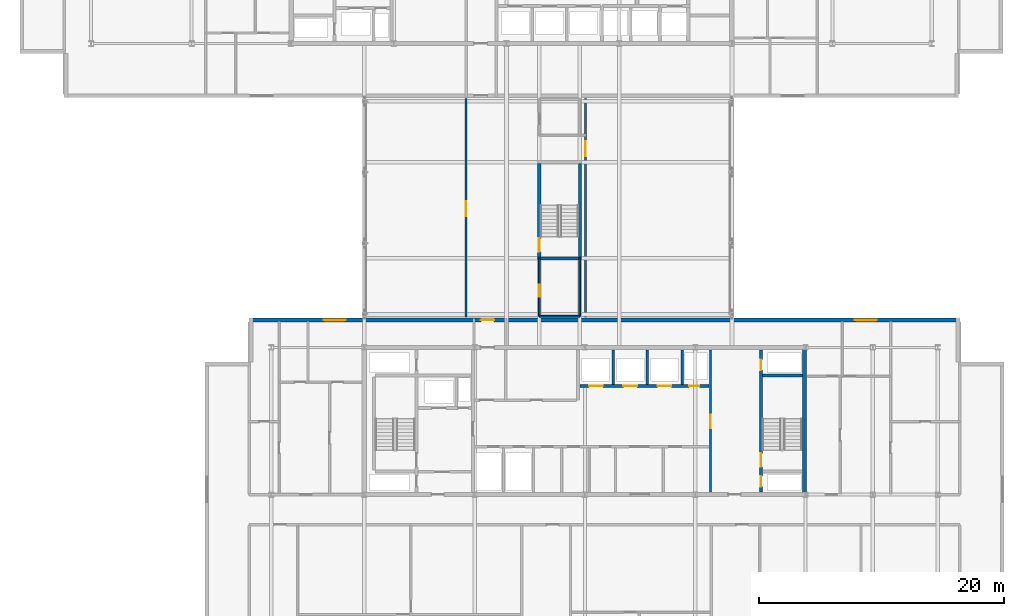
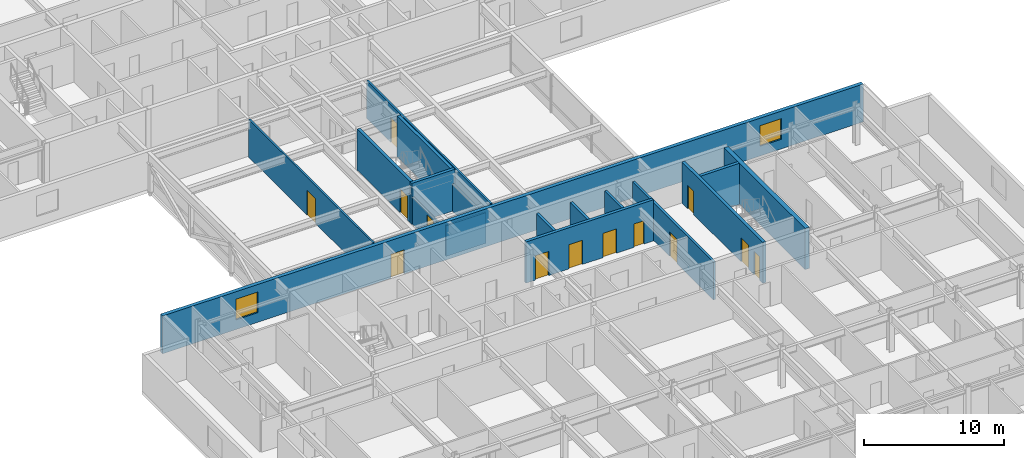
# One storey, part 21 of 36: 17 walls, 13 doors, 2 windows, 15 openings.
"""IFC4 building model written with IfcOpenShell, lengths in metres."""

from ifc_helpers import new_model, si_unit, direction, frame, frame_2d, origin, place, context, subcontext, project, spatial, rectangle, extrude, material, layer, layer_set, type_object, element, fill, save


model = new_model("IFC4")

# Units and contexts
model_context = context("Model", 3, precision=1e-05, world=origin(), true_north=direction((0.0, 1.0)))
body_context = subcontext(model_context, "Body", "Model", "MODEL_VIEW")
ifc_project = project(units=[si_unit("LENGTHUNIT", "METRE"), si_unit("AREAUNIT", "SQUARE_METRE"), si_unit("VOLUMEUNIT", "CUBIC_METRE"), si_unit("PLANEANGLEUNIT", "RADIAN"), si_unit("MASSUNIT", "GRAM", prefix="KILO")], contexts=[model_context])

# Site, building, storey
site_placement = place(None, origin())
site = spatial("IfcSite", under=ifc_project, at=site_placement, CompositionType="ELEMENT")
building_placement = place(site_placement, origin())
building = spatial("IfcBuilding", under=site, at=building_placement, Name="Korimba Cascade Residences", CompositionType="ELEMENT")
storey_placement = place(building_placement, frame((0.0, 0.0, 146.5)))
storey = spatial("IfcBuildingStorey", under=building, at=storey_placement, Name="L42", CompositionType="ELEMENT", Elevation=146.5)

# Wall, openings, door, windows
ifc_material_1 = material(Name="Precast concrete C40/50", Category="concrete")
ifc_layer_1 = layer(ifc_material_1, 0.300048828125)
ifc_layer_set_1 = layer_set([ifc_layer_1], Name="Precast concrete C40/50")
wall_type_1 = type_object("IfcWallType", Name="EW-STONE-300", PredefinedType="STANDARD", material=ifc_layer_set_1)
wall_1_placement = place(storey_placement, frame((130.699951171875, 32.64990234375, 0.0), z_axis=(0.0, 0.0, 1.0), x_axis=(-1.0, 0.0, 0.0)))
wall_1 = element("IfcWall", 1, at=wall_1_placement, inside=storey, type_object=wall_type_1, Name="L42 T2 Perimeter Stone Wall E06", PredefinedType="STANDARD", context=body_context, shape_type="SweptSolid", body=[
    extrude(rectangle(XDim=58.0, YDim=0.300048828125, at=frame_2d((29.0, 0.0))), origin(), (0.0, 0.0, 1.0), 3.31005859375),
])
opening_1_placement = place(wall_1_placement, frame((50.125, 0.0, 0.85009765625)))
opening_1 = element("IfcOpeningElement", 2, at=opening_1_placement, cuts=wall_1, Name="Opening W-02", PredefinedType="OPENING", context=body_context, shape_type="SweptSolid", body=[
    extrude(rectangle(XDim=1.800048828125, YDim=1.800048828125, at=frame_2d((0.89990234375, 0.89990234375))), frame((0.0, 0.16015625, 0.0), z_axis=(0.0, -1.0, 0.0), x_axis=(1.0, 0.0, 0.0)), (0.0, 0.0, 1.0), 0.320068359375),
])
opening_2_placement = place(wall_1_placement, frame((6.77490234375, 0.0, 0.85009765625)))
opening_2 = element("IfcOpeningElement", 3, at=opening_2_placement, cuts=wall_1, Name="Opening W-02", PredefinedType="OPENING", context=body_context, shape_type="SweptSolid", body=[
    extrude(rectangle(XDim=1.800048828125, YDim=1.800048828125, at=frame_2d((0.89990234375, 0.89990234375))), frame((0.0, 0.16015625, 0.0), z_axis=(0.0, -1.0, 0.0), x_axis=(1.0, 0.0, 0.0)), (0.0, 0.0, 1.0), 0.320068359375),
])
opening_3_placement = place(wall_1_placement, frame((38.0, 0.0, 0.0)))
opening_3 = element("IfcOpeningElement", 4, at=opening_3_placement, cuts=wall_1, Name="Opening D-BF1", PredefinedType="OPENING", context=body_context, shape_type="SweptSolid", body=[
    extrude(rectangle(XDim=1.10009765625, YDim=2.10009765625, at=frame_2d((0.550048828125, 1.050048828125))), frame((0.0, 0.16015625, 0.0), z_axis=(0.0, -1.0, 0.0), x_axis=(1.0, 0.0, 0.0)), (0.0, 0.0, 1.0), 0.320068359375),
])
ifc_material_2 = material(Name="Fire-Rated Steel Skybridge Link Door", Category="steel")
door_type_1 = type_object("IfcDoorType", Name="DR-BRG-FD120", OperationType="NOTDEFINED", PredefinedType="DOOR", material=ifc_material_2)
door_1_placement = place(opening_3_placement, origin())
door_1 = element("IfcDoor", 5, at=door_1_placement, inside=storey, type_object=door_type_1, Name="L42 Skybridge to Tower 2 Fire Door", OperationType="SINGLE_SWING_RIGHT", OverallHeight=2.10009765625, OverallWidth=1.10009765625, PredefinedType="DOOR", context=body_context, shape_type="SweptSolid", body=[
    extrude(rectangle(XDim=1.10009765625, YDim=2.10009765625, at=frame_2d((0.550048828125, 1.050048828125))), frame((0.0, 0.02490234375, 0.0), z_axis=(0.0, -1.0, 0.0), x_axis=(1.0, 0.0, 0.0)), (0.0, 0.0, 1.0), 0.050048828125),
])
fill(opening_3, door_1)
ifc_material_3 = material(Name="Double-Glazed Aluminium Window", Category="aluminium")
window_type = type_object("IfcWindowType", Name="WIN-BED-1800", PartitioningType="SINGLE_PANEL", PredefinedType="WINDOW", material=ifc_material_3)
window_1_placement = place(opening_1_placement, origin())
window_1 = element("IfcWindow", 6, at=window_1_placement, inside=storey, type_object=window_type, Name="L42 T2 North Corner Bedroom Window 1", OverallHeight=1.800048828125, OverallWidth=1.800048828125, PartitioningType="SINGLE_PANEL", PredefinedType="WINDOW", context=body_context, shape_type="SweptSolid", body=[
    extrude(rectangle(XDim=1.800048828125, YDim=1.800048828125, at=frame_2d((0.89990234375, 0.89990234375))), frame((0.0, 0.030029296875, 0.0), z_axis=(0.0, -1.0, 0.0), x_axis=(1.0, 0.0, 0.0)), (0.0, 0.0, 1.0), 0.06005859375),
])
fill(opening_1, window_1)
window_2_placement = place(opening_2_placement, origin())
window_2 = element("IfcWindow", 7, at=window_2_placement, inside=storey, type_object=window_type, Name="L42 T2 North Corner Bedroom Window 2", OverallHeight=1.800048828125, OverallWidth=1.800048828125, PartitioningType="SINGLE_PANEL", PredefinedType="WINDOW", context=body_context, shape_type="SweptSolid", body=[
    extrude(rectangle(XDim=1.800048828125, YDim=1.800048828125, at=frame_2d((0.89990234375, 0.89990234375))), frame((0.0, 0.030029296875, 0.0), z_axis=(0.0, -1.0, 0.0), x_axis=(1.0, 0.0, 0.0)), (0.0, 0.0, 1.0), 0.06005859375),
])
fill(opening_2, window_2)

# Walls
ifc_material_4 = material(Name="Concrete C65/80", Category="concrete")
ifc_layer_2 = layer(ifc_material_4, 0.35009765625)
ifc_layer_set_2 = layer_set([ifc_layer_2], Name="Concrete C65/80")
wall_type_2 = type_object("IfcWallType", Name="WAL-CORE-350", PredefinedType="SHEAR", material=ifc_layer_set_2)
wall_2_placement = place(storey_placement, frame((118.014892578125, 18.574951171875, 0.0), z_axis=(0.0, 0.0, 1.0), x_axis=(0.0, 1.0, 0.0)))
element("IfcWall", 8, at=wall_2_placement, inside=storey, type_object=wall_type_2, Name="L42 Core Shear Wall CW-L42-T2-E", PredefinedType="SHEAR", context=body_context, shape_type="SweptSolid", body=[
    extrude(rectangle(XDim=11.650146484375, YDim=0.35009765625, at=frame_2d((5.8251953125, 0.0))), origin(), (0.0, 0.0, 1.0), 3.60009765625),
])
ifc_material_5 = material(Name="Insulated Acoustic Stud Partition", Category="gypsum")
ifc_layer_3 = layer(ifc_material_5, 0.14990234375)
ifc_layer_set_3 = layer_set([ifc_layer_3], Name="Insulated Acoustic Stud Partition")
wall_type_3 = type_object("IfcWallType", Name="WAL-PART-150", PredefinedType="PARTITIONING", material=ifc_layer_set_3)
wall_3_placement = place(storey_placement, frame((96.375, 32.949951171875, 0.0), z_axis=(0.0, 0.0, 1.0), x_axis=(1.0, 0.0, 0.0)))
element("IfcWall", 9, at=wall_3_placement, inside=storey, type_object=wall_type_3, Name="L42 Partition Wall WAL-L42-BRG-WCS1", PredefinedType="PARTITIONING", context=body_context, shape_type="SweptSolid", body=[
    extrude(rectangle(XDim=3.31005859375, YDim=0.14990234375, at=frame_2d((1.655029296875, 0.0))), origin(), (0.0, 0.0, 1.0), 2.689697265625),
])

# Wall, opening, door
wall_4_placement = place(storey_placement, frame((96.375, 32.949951171875, 0.0), z_axis=(0.0, 0.0, 1.0), x_axis=(0.0, 1.0, 0.0)))
wall_4 = element("IfcWall", 10, at=wall_4_placement, inside=storey, type_object=wall_type_3, Name="L42 Partition Wall WAL-L42-BRG-WCW1", PredefinedType="PARTITIONING", context=body_context, shape_type="SweptSolid", body=[
    extrude(rectangle(XDim=4.72509765625, YDim=0.14990234375, at=frame_2d((2.362548828125, 0.0))), origin(), (0.0, 0.0, 1.0), 2.38330078125),
])
opening_4_placement = place(wall_4_placement, frame((1.60009765625, 0.0, 0.0)))
opening_4 = element("IfcOpeningElement", 11, at=opening_4_placement, cuts=wall_4, Name="Opening D-AC1", PredefinedType="OPENING", context=body_context, shape_type="SweptSolid", body=[
    extrude(rectangle(XDim=0.9599609375, YDim=2.10009765625, at=frame_2d((0.47998046875, 1.050048828125))), frame((0.0, 0.0849609375, 0.0), z_axis=(0.0, -1.0, 0.0), x_axis=(1.0, 0.0, 0.0)), (0.0, 0.0, 1.0), 0.169921875),
])
ifc_material_6 = material(Name="Accessible Acoustic Timber WC Door", Category="wood")
door_type_2 = type_object("IfcDoorType", Name="DR-ACC-950", OperationType="NOTDEFINED", PredefinedType="DOOR", material=ifc_material_6)
door_2_placement = place(opening_4_placement, origin())
door_2 = element("IfcDoor", 12, at=door_2_placement, inside=storey, type_object=door_type_2, Name="L42 Skybridge Accessible WC Door", OperationType="SINGLE_SWING_RIGHT", OverallHeight=2.10009765625, OverallWidth=0.9599609375, PredefinedType="DOOR", context=body_context, shape_type="SweptSolid", body=[
    extrude(rectangle(XDim=0.9599609375, YDim=2.10009765625, at=frame_2d((0.47998046875, 1.050048828125))), frame((0.0, 0.02490234375, 0.0), z_axis=(0.0, -1.0, 0.0), x_axis=(1.0, 0.0, 0.0)), (0.0, 0.0, 1.0), 0.050048828125),
])
fill(opening_4, door_2)

# Wall
wall_5_placement = place(storey_placement, frame((99.68505859375, 32.949951171875, 0.0), z_axis=(0.0, 0.0, 1.0), x_axis=(0.0, 1.0, 0.0)))
element("IfcWall", 13, at=wall_5_placement, inside=storey, type_object=wall_type_3, Name="L42 Partition Wall WAL-L42-BRG-EE1", PredefinedType="PARTITIONING", context=body_context, shape_type="SweptSolid", body=[
    extrude(rectangle(XDim=4.72509765625, YDim=0.14990234375, at=frame_2d((2.362548828125, 0.0))), origin(), (0.0, 0.0, 1.0), 2.38330078125),
])

# Wall, opening, door
wall_6_placement = place(storey_placement, frame((90.39990234375, 32.89990234375, 0.0), z_axis=(0.0, 0.0, 1.0), x_axis=(0.0, 1.0, 0.0)))
wall_6 = element("IfcWall", 14, at=wall_6_placement, inside=storey, type_object=wall_type_3, Name="L42 Partition Wall WAL-L42-BRG-CORW", PredefinedType="PARTITIONING", context=body_context, shape_type="SweptSolid", body=[
    extrude(rectangle(XDim=17.800048828125, YDim=0.14990234375, at=frame_2d((8.89990234375, 0.0))), origin(), (0.0, 0.0, 1.0), 3.31005859375),
])
opening_5_placement = place(wall_6_placement, frame((8.199951171875, 0.0, 0.0)))
opening_5 = element("IfcOpeningElement", 15, at=opening_5_placement, cuts=wall_6, Name="Opening D-AM1", PredefinedType="OPENING", context=body_context, shape_type="SweptSolid", body=[
    extrude(rectangle(XDim=1.219970703125, YDim=2.179931640625, at=frame_2d((0.60986328125, 1.08984375))), frame((0.0, 0.0849609375, 0.0), z_axis=(0.0, -1.0, 0.0), x_axis=(1.0, 0.0, 0.0)), (0.0, 0.0, 1.0), 0.169921875),
])
ifc_material_7 = material(Name="Fire-Rated Glazed Timber Suite Door", Category="wood")
door_type_3 = type_object("IfcDoorType", Name="DR-FD60-1200", OperationType="NOTDEFINED", PredefinedType="DOOR", material=ifc_material_7)
door_3_placement = place(opening_5_placement, origin())
door_3 = element("IfcDoor", 16, at=door_3_placement, inside=storey, type_object=door_type_3, Name="L42 Skybridge West Wing Door", OperationType="SINGLE_SWING_RIGHT", OverallHeight=2.179931640625, OverallWidth=1.219970703125, PredefinedType="DOOR", context=body_context, shape_type="SweptSolid", body=[
    extrude(rectangle(XDim=1.219970703125, YDim=2.179931640625, at=frame_2d((0.60986328125, 1.08984375))), frame((0.0, 0.02490234375, 0.0), z_axis=(0.0, -1.0, 0.0), x_axis=(1.0, 0.0, 0.0)), (0.0, 0.0, 1.0), 0.050048828125),
])
fill(opening_5, door_3)

wall_7_placement = place(storey_placement, frame((100.14990234375, 32.89990234375, 0.0), z_axis=(0.0, 0.0, 1.0), x_axis=(0.0, 1.0, 0.0)))
wall_7 = element("IfcWall", 17, at=wall_7_placement, inside=storey, type_object=wall_type_3, Name="L42 Partition Wall WAL-L42-BRG-EE2", PredefinedType="PARTITIONING", context=body_context, shape_type="SweptSolid", body=[
    extrude(rectangle(XDim=17.800048828125, YDim=0.14990234375, at=frame_2d((8.89990234375, 0.0))), origin(), (0.0, 0.0, 1.0), 3.31005859375),
])
opening_6_placement = place(wall_7_placement, frame((13.10009765625, 0.0, 0.0)))
opening_6 = element("IfcOpeningElement", 18, at=opening_6_placement, cuts=wall_7, Name="Opening D-AM1", PredefinedType="OPENING", context=body_context, shape_type="SweptSolid", body=[
    extrude(rectangle(XDim=1.219970703125, YDim=2.179931640625, at=frame_2d((0.60986328125, 1.08984375))), frame((0.0, 0.0849609375, 0.0), z_axis=(0.0, -1.0, 0.0), x_axis=(1.0, 0.0, 0.0)), (0.0, 0.0, 1.0), 0.169921875),
])
door_4_placement = place(opening_6_placement, origin())
door_4 = element("IfcDoor", 19, at=door_4_placement, inside=storey, type_object=door_type_3, Name="L42 Skybridge East Club Door", OperationType="SINGLE_SWING_LEFT", OverallHeight=2.179931640625, OverallWidth=1.219970703125, PredefinedType="DOOR", context=body_context, shape_type="SweptSolid", body=[
    extrude(rectangle(XDim=1.219970703125, YDim=2.179931640625, at=frame_2d((0.60986328125, 1.08984375))), frame((0.0, 0.02490234375, 0.0), z_axis=(0.0, -1.0, 0.0), x_axis=(1.0, 0.0, 0.0)), (0.0, 0.0, 1.0), 0.050048828125),
])
fill(opening_6, door_4)

# Walls
ifc_material_8 = material(Name="Concrete C40/50", Category="concrete")
ifc_layer_4 = layer(ifc_material_8, 0.199951171875)
ifc_layer_set_4 = layer_set([ifc_layer_4], Name="Concrete C40/50")
wall_type_4 = type_object("IfcWallType", Name="WAL-PART-200", PredefinedType="PARTITIONING", material=ifc_layer_set_4)
for number, where, z_axis, x_axis, name in (
    (20, (102.39990234375, 27.3798828125, 0.0), (0.0, 0.0, 1.0), (0.0, 1.0, 0.0), "L42 Partition Wall CW-L42-T2-B2D1"),
    (21, (105.199951171875, 27.3798828125, 0.0), (0.0, 0.0, 1.0), (0.0, 1.0, 0.0), "L42 Partition Wall CW-L42-T2-B2D2"),
    (22, (108.050048828125, 27.3798828125, 0.0), (0.0, 0.0, 1.0), (0.0, 1.0, 0.0), "L42 Partition Wall CW-L42-T2-B2D3"),
):
    element("IfcWall", number, at=place(storey_placement, frame(where, z_axis=z_axis, x_axis=x_axis)), inside=storey, type_object=wall_type_4, Name=name, PredefinedType="PARTITIONING", context=body_context, shape_type="SweptSolid", body=[
        extrude(rectangle(XDim=2.820068359375, YDim=0.199951171875, at=frame_2d((1.41015625, 0.0))), origin(), (0.0, 0.0, 1.0), 3.31005859375),
    ])

# Wall, opening, door
wall_8_placement = place(storey_placement, frame((110.35009765625, 18.60009765625, 0.0), z_axis=(0.0, 0.0, 1.0), x_axis=(0.0, 1.0, 0.0)))
wall_8 = element("IfcWall", 23, at=wall_8_placement, inside=storey, type_object=wall_type_4, Name="L42 Partition Wall CW-L42-T2-LLEV", PredefinedType="PARTITIONING", context=body_context, shape_type="SweptSolid", body=[
    extrude(rectangle(XDim=11.599853515625, YDim=0.199951171875, at=frame_2d((5.7998046875, 0.0))), origin(), (0.0, 0.0, 1.0), 3.31005859375),
])
opening_7_placement = place(wall_8_placement, frame((5.199951171875, 0.0, 0.0)))
opening_7 = element("IfcOpeningElement", 24, at=opening_7_placement, cuts=wall_8, Name="Opening D-FD6", PredefinedType="OPENING", context=body_context, shape_type="SweptSolid", body=[
    extrude(rectangle(XDim=1.10009765625, YDim=2.14990234375, at=frame_2d((0.550048828125, 1.074951171875))), frame((0.0, 0.10986328125, 0.0), z_axis=(0.0, -1.0, 0.0), x_axis=(1.0, 0.0, 0.0)), (0.0, 0.0, 1.0), 0.219970703125),
])
ifc_material_9 = material(Name="Fire-Rated Timber Stair Lobby Door", Category="wood")
door_type_4 = type_object("IfcDoorType", Name="DR-FD90-1100", OperationType="NOTDEFINED", PredefinedType="DOOR", material=ifc_material_9)
door_5_placement = place(opening_7_placement, origin())
door_5 = element("IfcDoor", 25, at=door_5_placement, inside=storey, type_object=door_type_4, Name="L42 T2 Lift Lobby to East Stair Lobby Door", OperationType="SINGLE_SWING_LEFT", OverallHeight=2.14990234375, OverallWidth=1.10009765625, PredefinedType="DOOR", context=body_context, shape_type="SweptSolid", body=[
    extrude(rectangle(XDim=1.10009765625, YDim=2.14990234375, at=frame_2d((0.550048828125, 1.074951171875))), frame((0.0, 0.02490234375, 0.0), z_axis=(0.0, -1.0, 0.0), x_axis=(1.0, 0.0, 0.0)), (0.0, 0.0, 1.0), 0.050048828125),
])
fill(opening_7, door_5)

# Wall, openings, doors
ifc_material_10 = material(Name="Concrete C50/60", Category="concrete")
ifc_layer_5 = layer(ifc_material_10, 0.25)
ifc_layer_set_5 = layer_set([ifc_layer_5], Name="Concrete C50/60")
wall_type_5 = type_object("IfcWallType", Name="WAL-SHAFT-250", PredefinedType="SHEAR", material=ifc_layer_set_5)
wall_9_placement = place(storey_placement, frame((99.679931640625, 27.25, 0.0), z_axis=(0.0, 0.0, 1.0), x_axis=(1.0, 0.0, 0.0)))
wall_9 = element("IfcWall", 26, at=wall_9_placement, inside=storey, type_object=wall_type_5, Name="L42 Core Shear Wall CW-L42-T2-B2S", PredefinedType="SHEAR", context=body_context, shape_type="SweptSolid", body=[
    extrude(rectangle(XDim=10.5400390625, YDim=0.25, at=frame_2d((5.27001953125, 0.0))), origin(), (0.0, 0.0, 1.0), 3.60009765625),
])
opening_8_placement = place(wall_9_placement, frame((0.760009765625, 0.0, 0.0)))
opening_8 = element("IfcOpeningElement", 27, at=opening_8_placement, cuts=wall_9, Name="Opening LD-01", PredefinedType="OPENING", context=body_context, shape_type="SweptSolid", body=[
    extrude(rectangle(XDim=1.1201171875, YDim=2.1201171875, at=frame_2d((0.56005859375, 1.06005859375))), frame((0.0, 0.135009765625, 0.0), z_axis=(0.0, -1.0, 0.0), x_axis=(1.0, 0.0, 0.0)), (0.0, 0.0, 1.0), 0.27001953125),
])
opening_9_placement = place(wall_9_placement, frame((3.56005859375, 0.0, 0.0)))
opening_9 = element("IfcOpeningElement", 28, at=opening_9_placement, cuts=wall_9, Name="Opening LD-01", PredefinedType="OPENING", context=body_context, shape_type="SweptSolid", body=[
    extrude(rectangle(XDim=1.1201171875, YDim=2.1201171875, at=frame_2d((0.56005859375, 1.06005859375))), frame((0.0, 0.135009765625, 0.0), z_axis=(0.0, -1.0, 0.0), x_axis=(1.0, 0.0, 0.0)), (0.0, 0.0, 1.0), 0.27001953125),
])
opening_10_placement = place(wall_9_placement, frame((6.360107421875, 0.0, 0.0)))
opening_10 = element("IfcOpeningElement", 29, at=opening_10_placement, cuts=wall_9, Name="Opening LD-01", PredefinedType="OPENING", context=body_context, shape_type="SweptSolid", body=[
    extrude(rectangle(XDim=1.1201171875, YDim=2.1201171875, at=frame_2d((0.56005859375, 1.06005859375))), frame((0.0, 0.135009765625, 0.0), z_axis=(0.0, -1.0, 0.0), x_axis=(1.0, 0.0, 0.0)), (0.0, 0.0, 1.0), 0.27001953125),
])
opening_11_placement = place(wall_9_placement, frame((8.919921875, 0.0, 0.0)))
opening_11 = element("IfcOpeningElement", 30, at=opening_11_placement, cuts=wall_9, Name="Opening D-RS1", PredefinedType="OPENING", context=body_context, shape_type="SweptSolid", body=[
    extrude(rectangle(XDim=0.85009765625, YDim=2.050048828125, at=frame_2d((0.425048828125, 1.02490234375))), frame((0.0, 0.135009765625, 0.0), z_axis=(0.0, -1.0, 0.0), x_axis=(1.0, 0.0, 0.0)), (0.0, 0.0, 1.0), 0.27001953125),
])
ifc_material_11 = material(Name="Fire-Rated Steel Riser Access Door", Category="steel")
door_type_5 = type_object("IfcDoorType", Name="DR-FD60-850", OperationType="NOTDEFINED", PredefinedType="DOOR", material=ifc_material_11)
door_6_placement = place(opening_11_placement, origin())
door_6 = element("IfcDoor", 31, at=door_6_placement, inside=storey, type_object=door_type_5, Name="L42 T2 Duct Door", OperationType="SINGLE_SWING_RIGHT", OverallHeight=2.050048828125, OverallWidth=0.85009765625, PredefinedType="DOOR", context=body_context, shape_type="SweptSolid", body=[
    extrude(rectangle(XDim=0.85009765625, YDim=2.050048828125, at=frame_2d((0.425048828125, 1.02490234375))), frame((0.0, 0.02490234375, 0.0), z_axis=(0.0, -1.0, 0.0), x_axis=(1.0, 0.0, 0.0)), (0.0, 0.0, 1.0), 0.050048828125),
])
fill(opening_11, door_6)
ifc_material_12 = material(Name="Stainless Steel Lift Landing Sliding Door", Category="steel")
door_type_6 = type_object("IfcDoorType", Name="DR-LIFT-1100", OperationType="NOTDEFINED", PredefinedType="DOOR", material=ifc_material_12)
door_7_placement = place(opening_8_placement, origin())
door_7 = element("IfcDoor", 32, at=door_7_placement, inside=storey, type_object=door_type_6, Name="L42 Lift Landing Door PL-E4", OperationType="SLIDING_TO_RIGHT", OverallHeight=2.1201171875, OverallWidth=1.1201171875, PredefinedType="DOOR", context=body_context, shape_type="SweptSolid", body=[
    extrude(rectangle(XDim=1.1201171875, YDim=2.1201171875, at=frame_2d((0.56005859375, 1.06005859375))), frame((0.0, 0.02490234375, 0.0), z_axis=(0.0, -1.0, 0.0), x_axis=(1.0, 0.0, 0.0)), (0.0, 0.0, 1.0), 0.050048828125),
])
fill(opening_8, door_7)
door_8_placement = place(opening_9_placement, origin())
door_8 = element("IfcDoor", 33, at=door_8_placement, inside=storey, type_object=door_type_6, Name="L42 Lift Landing Door PL-E5", OperationType="SLIDING_TO_RIGHT", OverallHeight=2.1201171875, OverallWidth=1.1201171875, PredefinedType="DOOR", context=body_context, shape_type="SweptSolid", body=[
    extrude(rectangle(XDim=1.1201171875, YDim=2.1201171875, at=frame_2d((0.56005859375, 1.06005859375))), frame((0.0, 0.02490234375, 0.0), z_axis=(0.0, -1.0, 0.0), x_axis=(1.0, 0.0, 0.0)), (0.0, 0.0, 1.0), 0.050048828125),
])
fill(opening_9, door_8)
door_9_placement = place(opening_10_placement, origin())
door_9 = element("IfcDoor", 34, at=door_9_placement, inside=storey, type_object=door_type_6, Name="L42 Lift Landing Door PL-E6", OperationType="SLIDING_TO_RIGHT", OverallHeight=2.1201171875, OverallWidth=1.1201171875, PredefinedType="DOOR", context=body_context, shape_type="SweptSolid", body=[
    extrude(rectangle(XDim=1.1201171875, YDim=2.1201171875, at=frame_2d((0.56005859375, 1.06005859375))), frame((0.0, 0.02490234375, 0.0), z_axis=(0.0, -1.0, 0.0), x_axis=(1.0, 0.0, 0.0)), (0.0, 0.0, 1.0), 0.050048828125),
])
fill(opening_10, door_9)

wall_10_placement = place(storey_placement, frame((114.47509765625, 18.60009765625, 0.0), z_axis=(0.0, 0.0, 1.0), x_axis=(0.0, 1.0, 0.0)))
wall_10 = element("IfcWall", 35, at=wall_10_placement, inside=storey, type_object=wall_type_5, Name="L42 Core Shear Wall CW-L42-T2-STE2W", PredefinedType="SHEAR", context=body_context, shape_type="SweptSolid", body=[
    extrude(rectangle(XDim=11.599853515625, YDim=0.25, at=frame_2d((5.7998046875, 0.0))), origin(), (0.0, 0.0, 1.0), 3.60009765625),
])
opening_12_placement = place(wall_10_placement, frame((0.449951171875, 0.0, 0.0)))
opening_12 = element("IfcOpeningElement", 36, at=opening_12_placement, cuts=wall_10, Name="Opening D-RS1", PredefinedType="OPENING", context=body_context, shape_type="SweptSolid", body=[
    extrude(rectangle(XDim=0.85009765625, YDim=2.050048828125, at=frame_2d((0.425048828125, 1.02490234375))), frame((0.0, 0.135009765625, 0.0), z_axis=(0.0, -1.0, 0.0), x_axis=(1.0, 0.0, 0.0)), (0.0, 0.0, 1.0), 0.27001953125),
])
opening_13_placement = place(wall_10_placement, frame((2.050048828125, 0.0, 0.0)))
opening_13 = element("IfcOpeningElement", 37, at=opening_13_placement, cuts=wall_10, Name="Opening D-FD1", PredefinedType="OPENING", context=body_context, shape_type="SweptSolid", body=[
    extrude(rectangle(XDim=1.10009765625, YDim=2.10009765625, at=frame_2d((0.550048828125, 1.050048828125))), frame((0.0, 0.135009765625, 0.0), z_axis=(0.0, -1.0, 0.0), x_axis=(1.0, 0.0, 0.0)), (0.0, 0.0, 1.0), 0.27001953125),
])
opening_14_placement = place(wall_10_placement, frame((9.949951171875, 0.0, 0.0)))
opening_14 = element("IfcOpeningElement", 38, at=opening_14_placement, cuts=wall_10, Name="Opening D-RS1", PredefinedType="OPENING", context=body_context, shape_type="SweptSolid", body=[
    extrude(rectangle(XDim=0.85009765625, YDim=2.050048828125, at=frame_2d((0.425048828125, 1.02490234375))), frame((0.0, 0.135009765625, 0.0), z_axis=(0.0, -1.0, 0.0), x_axis=(1.0, 0.0, 0.0)), (0.0, 0.0, 1.0), 0.27001953125),
])
ifc_material_13 = material(Name="Fire-Rated Steel Core Door", Category="steel")
door_type_7 = type_object("IfcDoorType", Name="DR-FD120-1100", OperationType="NOTDEFINED", PredefinedType="DOOR", material=ifc_material_13)
door_10_placement = place(opening_13_placement, origin())
door_10 = element("IfcDoor", 39, at=door_10_placement, inside=storey, type_object=door_type_7, Name="L42 Fire Stair ST-E2 Door", OperationType="SINGLE_SWING_LEFT", OverallHeight=2.10009765625, OverallWidth=1.10009765625, PredefinedType="DOOR", context=body_context, shape_type="SweptSolid", body=[
    extrude(rectangle(XDim=1.10009765625, YDim=2.10009765625, at=frame_2d((0.550048828125, 1.050048828125))), frame((0.0, 0.02490234375, 0.0), z_axis=(0.0, -1.0, 0.0), x_axis=(1.0, 0.0, 0.0)), (0.0, 0.0, 1.0), 0.050048828125),
])
fill(opening_13, door_10)
door_11_placement = place(opening_12_placement, origin())
door_11 = element("IfcDoor", 40, at=door_11_placement, inside=storey, type_object=door_type_5, Name="L42 T2 East Hydrant Door", OperationType="SINGLE_SWING_RIGHT", OverallHeight=2.050048828125, OverallWidth=0.85009765625, PredefinedType="DOOR", context=body_context, shape_type="SweptSolid", body=[
    extrude(rectangle(XDim=0.85009765625, YDim=2.050048828125, at=frame_2d((0.425048828125, 1.02490234375))), frame((0.0, 0.02490234375, 0.0), z_axis=(0.0, -1.0, 0.0), x_axis=(1.0, 0.0, 0.0)), (0.0, 0.0, 1.0), 0.050048828125),
])
fill(opening_12, door_11)
door_12_placement = place(opening_14_placement, origin())
door_12 = element("IfcDoor", 41, at=door_12_placement, inside=storey, type_object=door_type_5, Name="L42 T2 East Riser Door", OperationType="SINGLE_SWING_RIGHT", OverallHeight=2.050048828125, OverallWidth=0.85009765625, PredefinedType="DOOR", context=body_context, shape_type="SweptSolid", body=[
    extrude(rectangle(XDim=0.85009765625, YDim=2.050048828125, at=frame_2d((0.425048828125, 1.02490234375))), frame((0.0, 0.02490234375, 0.0), z_axis=(0.0, -1.0, 0.0), x_axis=(1.0, 0.0, 0.0)), (0.0, 0.0, 1.0), 0.050048828125),
])
fill(opening_14, door_12)

# Wall
wall_11_placement = place(storey_placement, frame((114.60009765625, 28.125, 0.0), z_axis=(0.0, 0.0, 1.0), x_axis=(1.0, 0.0, 0.0)))
element("IfcWall", 42, at=wall_11_placement, inside=storey, type_object=wall_type_5, Name="L42 Core Shear Wall CW-L42-T2-STE2N", PredefinedType="SHEAR", context=body_context, shape_type="SweptSolid", body=[
    extrude(rectangle(XDim=3.239990234375, YDim=0.25, at=frame_2d((1.6201171875, 0.0))), origin(), (0.0, 0.0, 1.0), 3.60009765625),
])

# Wall, opening, door
wall_12_placement = place(storey_placement, frame((96.375, 37.800048828125, 0.0), z_axis=(0.0, 0.0, 1.0), x_axis=(0.0, 1.0, 0.0)))
wall_12 = element("IfcWall", 43, at=wall_12_placement, inside=storey, type_object=wall_type_5, Name="L42 Core Shear Wall CW-L42-STBR1W", PredefinedType="SHEAR", context=body_context, shape_type="SweptSolid", body=[
    extrude(rectangle(XDim=7.599853515625, YDim=0.25, at=frame_2d((3.7998046875, 0.0))), origin(), (0.0, 0.0, 1.0), 3.60009765625),
])
opening_15_placement = place(wall_12_placement, frame((0.39990234375, 0.0, 0.0)))
opening_15 = element("IfcOpeningElement", 44, at=opening_15_placement, cuts=wall_12, Name="Opening D-FD1", PredefinedType="OPENING", context=body_context, shape_type="SweptSolid", body=[
    extrude(rectangle(XDim=1.10009765625, YDim=2.10009765625, at=frame_2d((0.550048828125, 1.050048828125))), frame((0.0, 0.135009765625, 0.0), z_axis=(0.0, -1.0, 0.0), x_axis=(1.0, 0.0, 0.0)), (0.0, 0.0, 1.0), 0.27001953125),
])
door_13_placement = place(opening_15_placement, origin())
door_13 = element("IfcDoor", 45, at=door_13_placement, inside=storey, type_object=door_type_7, Name="L42 Skybridge Stair Door", OperationType="SINGLE_SWING_LEFT", OverallHeight=2.10009765625, OverallWidth=1.10009765625, PredefinedType="DOOR", context=body_context, shape_type="SweptSolid", body=[
    extrude(rectangle(XDim=1.10009765625, YDim=2.10009765625, at=frame_2d((0.550048828125, 1.050048828125))), frame((0.0, 0.02490234375, 0.0), z_axis=(0.0, -1.0, 0.0), x_axis=(1.0, 0.0, 0.0)), (0.0, 0.0, 1.0), 0.050048828125),
])
fill(opening_15, door_13)

# Walls
wall_13_placement = place(storey_placement, frame((99.68505859375, 37.800048828125, 0.0), z_axis=(0.0, 0.0, 1.0), x_axis=(0.0, 1.0, 0.0)))
element("IfcWall", 46, at=wall_13_placement, inside=storey, type_object=wall_type_5, Name="L42 Core Shear Wall CW-L42-STBR1E", PredefinedType="SHEAR", context=body_context, shape_type="SweptSolid", body=[
    extrude(rectangle(XDim=7.599853515625, YDim=0.25, at=frame_2d((3.7998046875, 0.0))), origin(), (0.0, 0.0, 1.0), 3.60009765625),
])
wall_14_placement = place(storey_placement, frame((96.25, 37.675048828125, 0.0), z_axis=(0.0, 0.0, 1.0), x_axis=(1.0, 0.0, 0.0)))
element("IfcWall", 47, at=wall_14_placement, inside=storey, type_object=wall_type_5, Name="L42 Core Shear Wall CW-L42-STBR1S", PredefinedType="SHEAR", context=body_context, shape_type="SweptSolid", body=[
    extrude(rectangle(XDim=3.56005859375, YDim=0.25, at=frame_2d((1.780029296875, 0.0))), origin(), (0.0, 0.0, 1.0), 3.60009765625),
])

save(model, "model.ifc")
